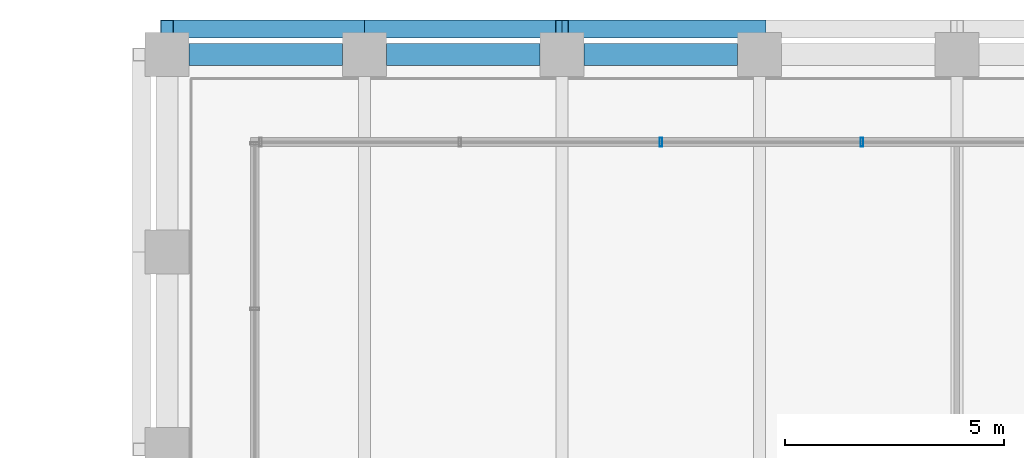
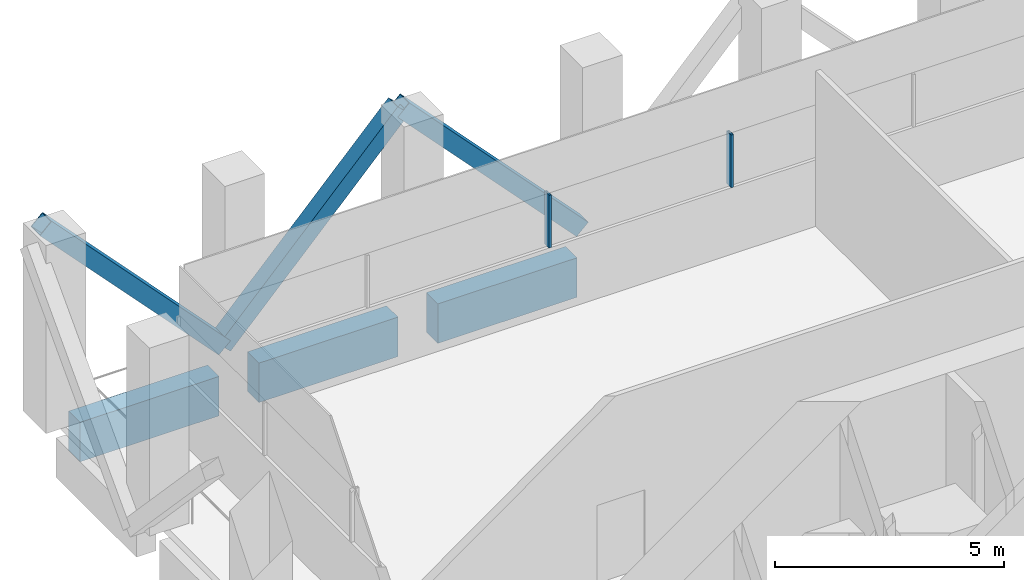
# One storey, part 17 of 48: 5 members, 3 beams, 1 element without a shape of its own.
"""IFC4 building model written with IfcOpenShell, lengths in metres."""

from ifc_helpers import new_model, si_unit, direction, frame, origin, origin_2d, place, context, subcontext, project, spatial, rectangle, hollow_rectangle, extrude, material, material_profile, profile_set, type_object, element, aggregate, save


model = new_model("IFC4")

# Units and contexts
model_context = context("Model", 3, precision=1e-05, world=origin(), true_north=direction((0.0, 1.0)))
body_context = subcontext(model_context, "Body", "Model", "MODEL_VIEW")
ifc_project = project(units=[si_unit("LENGTHUNIT", "METRE"), si_unit("AREAUNIT", "SQUARE_METRE"), si_unit("VOLUMEUNIT", "CUBIC_METRE"), si_unit("PLANEANGLEUNIT", "RADIAN"), si_unit("MASSUNIT", "GRAM", prefix="KILO")], contexts=[model_context])

# Site, building, storey
site_placement = place(None, origin())
site = spatial("IfcSite", under=ifc_project, at=site_placement, CompositionType="ELEMENT")
building_placement = place(site_placement, origin())
building = spatial("IfcBuilding", under=site, at=building_placement, Name="Altepetl Exchange Towers", CompositionType="ELEMENT")
storey_placement = place(building_placement, frame((0.0, 0.0, 138.800048828125)))
storey = spatial("IfcBuildingStorey", under=building, at=storey_placement, Name="L34 Refuge and sky lobby", CompositionType="ELEMENT", Elevation=138.800048828125)

# Members
ifc_material_1 = material(Name="Steel S355", Category="steel")
ifc_material_profile_1 = material_profile(ifc_material_1, hollow_rectangle(XDim=0.406005859375, YDim=0.406005859375, WallThickness=0.014892578125, at=origin_2d()), Name="HSS406X406X15.9")
ifc_profile_set_1 = profile_set([ifc_material_profile_1], Name="Steel S355")
member_type_1 = type_object("IfcMemberType", Name="Belt diagonal HSS406X406X15.9", PredefinedType="BRACE", material=ifc_profile_set_1)
for number, where, z_axis, x_axis, name in (
    (1, (54.0, 72.580078125, 0.0), (-0.687744647911, 0.0, 0.725952683906), (0.0, -1.0, 0.0), "brc:A:L34:016"),
    (2, (49.5, 72.580078125, 4.75), (-0.687744647911, 0.0, -0.725952683906), (0.0, -1.0, 0.0), "brc:A:L34:017"),
    (3, (45.0, 72.580078125, 0.0), (-0.687744647911, 0.0, 0.725952683906), (0.0, -1.0, 0.0), "brc:A:L34:018"),
):
    element("IfcMember", number, at=place(storey_placement, frame(where, z_axis=z_axis, x_axis=x_axis)), inside=storey, type_object=member_type_1, Name=name, PredefinedType="BRACE", context=body_context, shape_type="SweptSolid", body=[
        extrude(hollow_rectangle(XDim=0.406005859375, YDim=0.406005859375, WallThickness=0.014892578125, at=origin_2d()), origin(), (0.0, 0.0, 1.0), 6.543212890625),
    ])

# Curtain wall, members
ifc_material_2 = material(Name="Aluminium 6063-T6 glazing", Category="aluminium")
curtain_wall_type = type_object("IfcCurtainWallType", Name="Refuge slit glazing system", PredefinedType="NOTDEFINED", material=ifc_material_2)
curtain_wall_placement = place(storey_placement, origin())
curtain_wall = element("IfcCurtainWall", 4, at=curtain_wall_placement, inside=storey, type_object=curtain_wall_type, Name="CW3 run", PredefinedType="NOTDEFINED")
ifc_material_3 = material(Name="Aluminium 6063-T6", Category="aluminium")
ifc_material_profile_2 = material_profile(ifc_material_3, hollow_rectangle(XDim=0.06005859375, YDim=0.199951171875, WallThickness=0.0029296875, at=origin_2d()), Name="Mullion 60x200 aluminium")
ifc_profile_set_2 = profile_set([ifc_material_profile_2], Name="Aluminium 6063-T6")
member_type_2 = type_object("IfcMemberType", Name="Mullion 60x200 aluminium", PredefinedType="MULLION", material=ifc_profile_set_2)
member_1_placement = place(storey_placement, frame((56.340087890625, 70.0, 1.800048828125), z_axis=(0.0, 0.0, 1.0), x_axis=(-1.0, 0.0, 0.0)))
member_1 = element("IfcMember", 5, at=member_1_placement, type_object=member_type_2, Name="MU2 mullion", PredefinedType="MULLION", context=body_context, shape_type="SweptSolid", body=[
    extrude(hollow_rectangle(XDim=0.06005859375, YDim=0.199951171875, WallThickness=0.0029296875, at=origin_2d()), origin(), (0.0, 0.0, 1.0), 1.39990234375),
])
member_2_placement = place(storey_placement, frame((51.760009765625, 70.0, 1.800048828125), z_axis=(0.0, 0.0, 1.0), x_axis=(-1.0, 0.0, 0.0)))
member_2 = element("IfcMember", 6, at=member_2_placement, type_object=member_type_2, Name="MU2 mullion", PredefinedType="MULLION", context=body_context, shape_type="SweptSolid", body=[
    extrude(hollow_rectangle(XDim=0.06005859375, YDim=0.199951171875, WallThickness=0.0029296875, at=origin_2d()), origin(), (0.0, 0.0, 1.0), 1.39990234375),
])
aggregate(curtain_wall, [member_1, member_2])

# Beams
ifc_material_4 = material(Name="Concrete C50/60 precast with cantera rosa facing", Category="concrete")
ifc_material_profile_3 = material_profile(ifc_material_4, rectangle(XDim=0.5, YDim=1.050048828125, at=origin_2d()), Name="500 x 1050")
ifc_profile_set_3 = profile_set([ifc_material_profile_3], Name="Concrete C50/60 precast with cantera rosa facing")
beam_type = type_object("IfcBeamType", Name="Spandrel beam 500x1050 cantera rosa", PredefinedType="SPANDREL", material=ifc_profile_set_3)
for number, where, z_axis, x_axis, name in (
    (7, (53.5, 72.0, -0.72509765625), (-1.0, 0.0, 0.0), (0.0, -1.0, 0.0), "sp:A:L34:027"),
    (8, (49.0, 72.0, -0.72509765625), (-1.0, 0.0, 0.0), (0.0, -1.0, 0.0), "sp:A:L34:028"),
    (9, (44.5, 72.0, -0.72509765625), (-1.0, 0.0, 0.0), (0.0, -1.0, 0.0), "sp:A:L34:029"),
):
    element("IfcBeam", number, at=place(storey_placement, frame(where, z_axis=z_axis, x_axis=x_axis)), inside=storey, type_object=beam_type, Name=name, PredefinedType="SPANDREL", context=body_context, shape_type="SweptSolid", body=[
        extrude(rectangle(XDim=0.5, YDim=1.050048828125, at=origin_2d()), origin(), (0.0, 0.0, 1.0), 3.5),
    ])

save(model, "model.ifc")
